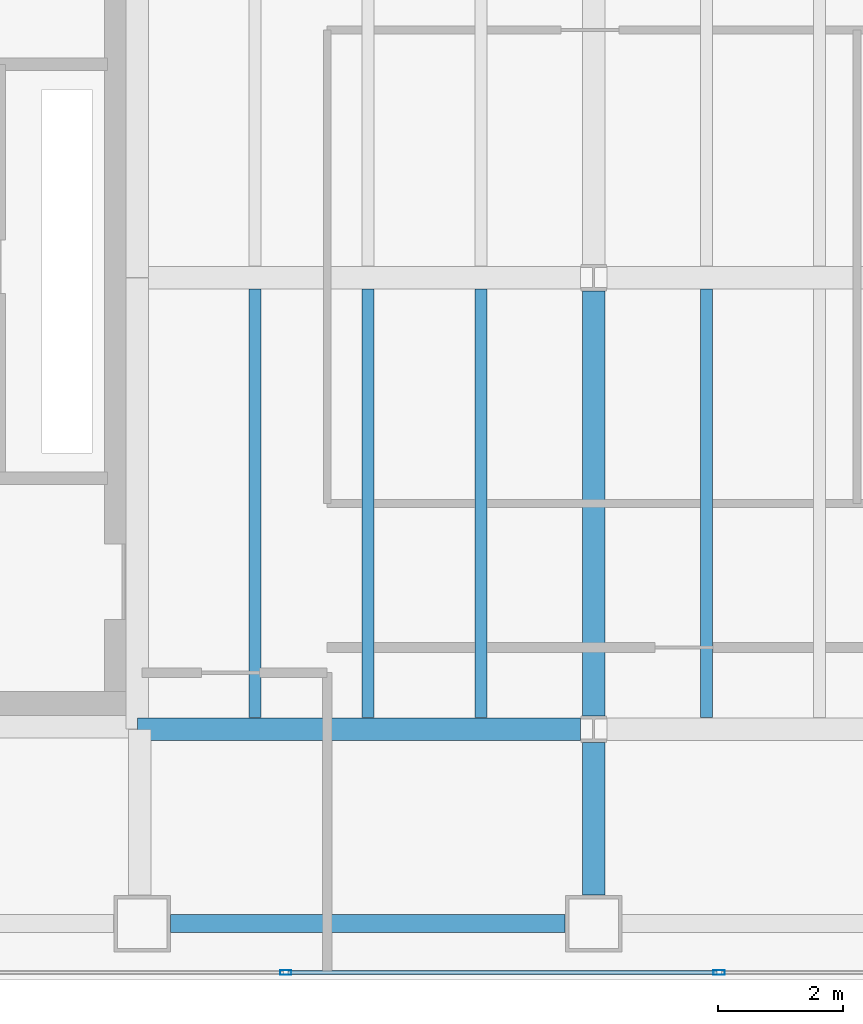
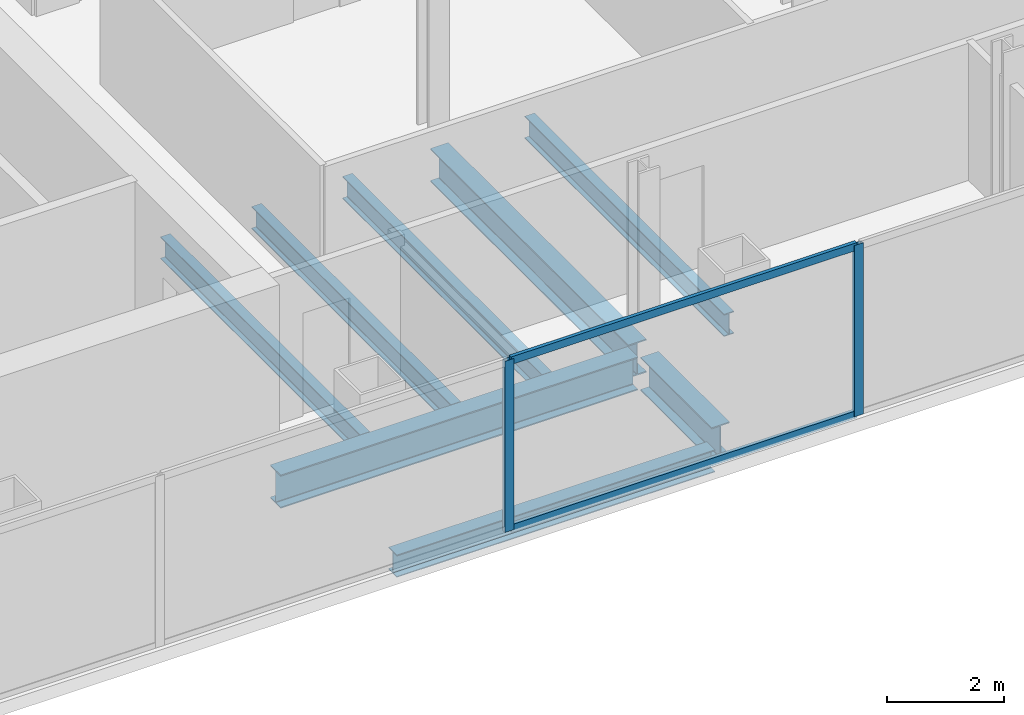
# One storey, part 4 of 23: 8 beams, 4 members, 1 element without a shape of its own.
"""IFC4 building model written with IfcOpenShell, lengths in metres."""

import ifcopenshell
import ifcopenshell.guid

model = None  # the IFC model being written
_history = None  # IfcOwnerHistory: only IFC2X3 demands one
_inside = {}  # id of a spatial element -> (the spatial element, [elements in it])
_under = {}  # id of a project, library or spatial element -> (it, [spatial elements below it])
_declared = {}  # id of a project -> (the project, [libraries it declares])
_typed = {}  # id of a type object -> (the type object, [elements of that type])
_made_of = {}  # id of a material, layer set ... -> (it, [elements and type objects made of it])


def new_model(schema):
    """Start an empty IFC model of exactly this schema.

    Asked for "IFC4X3", IfcOpenShell would pick the latest addendum, in which some entities
    have other attributes; the version numbers below select the first issue.
    IFC2X3 requires an IfcOwnerHistory on every rooted entity: one is made here for all.
    """
    global model, _history
    if schema == "IFC4X3":
        model = ifcopenshell.file(schema_version=(4, 3, 0, 0))
    else:
        model = ifcopenshell.file(schema=schema)
    _inside.clear()
    _under.clear()
    _declared.clear()
    _typed.clear()
    _made_of.clear()
    _history = None
    if model.schema == "IFC2X3":
        org = make("IfcOrganization", Name="unknown")
        user = make(
            "IfcPersonAndOrganization",
            ThePerson=make("IfcPerson", FamilyName="unknown"),
            TheOrganization=org,
        )
        app = make(
            "IfcApplication",
            ApplicationDeveloper=org,
            Version="unknown",
            ApplicationFullName="unknown",
            ApplicationIdentifier="unknown",
        )
        _history = make(
            "IfcOwnerHistory",
            OwningUser=user,
            OwningApplication=app,
            ChangeAction="ADDED",
            CreationDate=0,
        )
    return model


def make(cls, **values):
    """One entity of the class cls with the attributes given. An attribute that is None is left unset."""
    return model.create_entity(
        cls, **{name: value for name, value in values.items() if value is not None}
    )


def rooted(cls, **values):
    """An entity with a GlobalId (a new one), such as an element, a storey or a relation."""
    return make(cls, GlobalId=ifcopenshell.guid.new(), OwnerHistory=_history, **values)


def si_unit(unit_type, name, prefix=None):
    """IfcSIUnit, for example si_unit("LENGTHUNIT", "METRE", prefix="MILLI")."""
    return make("IfcSIUnit", UnitType=unit_type, Prefix=prefix, Name=name)


def assignment(units):
    """IfcUnitAssignment: the units of a project."""
    return None if units is None else make("IfcUnitAssignment", Units=units)


def point(xyz):
    """IfcCartesianPoint."""
    return None if xyz is None else make("IfcCartesianPoint", Coordinates=xyz)


def direction(xyz):
    """IfcDirection."""
    return None if xyz is None else make("IfcDirection", DirectionRatios=xyz)


def frame(location, z_axis=None, x_axis=None):
    """IfcAxis2Placement3D, a coordinate frame: its origin and axes. An axis left out is left unset."""
    return make(
        "IfcAxis2Placement3D",
        Location=point(location),
        Axis=direction(z_axis),
        RefDirection=direction(x_axis),
    )


def frame_2d(location, x_axis=None):
    """IfcAxis2Placement2D, a coordinate frame in the plane: its origin and x axis."""
    return make(
        "IfcAxis2Placement2D", Location=point(location), RefDirection=direction(x_axis)
    )


def origin():
    """The frame at (0, 0, 0) with its axes left unset."""
    return frame((0.0, 0.0, 0.0))


def origin_2d():
    """The frame at (0, 0) in the plane with its x axis left unset."""
    return frame_2d((0.0, 0.0))


def place(relative_to, where):
    """IfcLocalPlacement: puts the frame where relative to a parent placement (None: the world)."""
    return make(
        "IfcLocalPlacement", PlacementRelTo=relative_to, RelativePlacement=where
    )


def context(
    kind, dimensions, precision=None, world=None, true_north=None, identifier=None
):
    """IfcGeometricRepresentationContext, for example the 3D "Model" context."""
    return make(
        "IfcGeometricRepresentationContext",
        ContextIdentifier=identifier,
        ContextType=kind,
        CoordinateSpaceDimension=dimensions,
        Precision=precision,
        WorldCoordinateSystem=world,
        TrueNorth=true_north,
    )


def subcontext(parent, identifier, kind, view, scale=None):
    """IfcGeometricRepresentationSubContext, for example "Body" below "Model"."""
    return make(
        "IfcGeometricRepresentationSubContext",
        ContextIdentifier=identifier,
        ContextType=kind,
        ParentContext=parent,
        TargetScale=scale,
        TargetView=view,
    )


def project(units=None, contexts=None):
    """IfcProject with its units and contexts."""
    return rooted(
        "IfcProject",
        Name="project",
        RepresentationContexts=contexts,
        UnitsInContext=assignment(units),
    )


def spatial(cls, under=None, at=None, **own):
    """A site, building, storey or space (cls), placed at a placement, below another one or the project."""
    s = rooted(cls, ObjectPlacement=at, **own)
    if under is not None:
        _under.setdefault(under.id(), (under, []))[1].append(s)
    return s


def profile(cls, at=None, kind="AREA", **sizes):
    """A parametric profile (cls). Its sizes go by their IFC names, for example OverallWidth=200.0."""
    return make(cls, ProfileType=kind, Position=at, **sizes)


def hollow_rectangle(**sizes):
    """IfcRectangleHollowProfileDef."""
    return profile("IfcRectangleHollowProfileDef", **sizes)


def i_section(**sizes):
    """IfcIShapeProfileDef."""
    return profile("IfcIShapeProfileDef", **sizes)


def extrude(swept, where, along, depth):
    """IfcExtrudedAreaSolid: the profile swept, set in the frame where, extruded along a direction by depth."""
    return make(
        "IfcExtrudedAreaSolid",
        SweptArea=swept,
        Position=where,
        ExtrudedDirection=direction(along),
        Depth=depth,
    )


def shape(context_of_items, identifier, shape_type, items):
    """IfcShapeRepresentation: the items that make up one representation, for example the "Body"."""
    return make(
        "IfcShapeRepresentation",
        ContextOfItems=context_of_items,
        RepresentationIdentifier=identifier,
        RepresentationType=shape_type,
        Items=items,
    )


def material(Name=None, Category=None):
    """IfcMaterial."""
    return make("IfcMaterial", Name=Name, Category=Category)


def material_profile(
    of_material, cross_section, Name=None, Category=None, Priority=None
):
    """IfcMaterialProfile: a cross section and its material."""
    return make(
        "IfcMaterialProfile",
        Name=Name,
        Material=of_material,
        Profile=cross_section,
        Priority=Priority,
        Category=Category,
    )


def profile_set(profiles, Name=None, composite=None):
    """IfcMaterialProfileSet."""
    return make(
        "IfcMaterialProfileSet",
        Name=Name,
        MaterialProfiles=profiles,
        CompositeProfile=composite,
    )


def made_of(thing, what):
    """Note that an element or type object is made of a material, layer set ...; save() writes the relation."""
    if what is not None:
        _made_of.setdefault(what.id(), (what, []))[1].append(thing)
    return thing


def type_object(cls, material=None, **own):
    """A type object (cls), such as IfcWallType, which elements share."""
    return made_of(rooted(cls, **own), material)


def element(
    cls,
    number,
    at=None,
    inside=None,
    cuts=None,
    type_object=None,
    material=None,
    context=None,
    identifier="Body",
    shape_type=None,
    held_by="IfcProductDefinitionShape",
    body=None,
    shapes=None,
    **own,
):
    """One element of the class cls, such as IfcWall. Its Tag is "e" and its number.

    at: its placement. inside: the storey or other place that contains it. cuts: it is an
    opening in that element (IfcRelVoidsElement). A single representation is given by context,
    identifier, shape_type and body (its items); several are given by shapes. held_by: the class
    of the entity that holds the representations. save() writes the other relations.
    """
    e = rooted(cls, Tag="e%d" % number, ObjectPlacement=at, **own)
    if body is not None:
        shapes = [shape(context, identifier, shape_type, body)]
    if shapes is not None:
        e.Representation = make(held_by, Representations=shapes)
    if inside is not None:
        _inside.setdefault(inside.id(), (inside, []))[1].append(e)
    if cuts is not None:
        rooted(
            "IfcRelVoidsElement", RelatingBuildingElement=cuts, RelatedOpeningElement=e
        )
    if type_object is not None:
        _typed.setdefault(type_object.id(), (type_object, []))[1].append(e)
    return made_of(e, material)


def aggregate(whole, parts):
    """IfcRelAggregates: a whole, such as a stair, and the parts it consists of."""
    return rooted("IfcRelAggregates", RelatingObject=whole, RelatedObjects=parts)


def save(model, path):
    """Write the relations noted so far, then the file.

    IfcRelAggregates (storeys below a building ...), IfcRelContainedInSpatialStructure (elements
    in a storey), IfcRelDefinesByType, IfcRelAssociatesMaterial and IfcRelDeclares: one each for
    every whole, place, type object, material and project.
    """
    for whole, parts in _under.values():
        aggregate(whole, parts)
    for where, things in _inside.values():
        rooted(
            "IfcRelContainedInSpatialStructure",
            RelatedElements=things,
            RelatingStructure=where,
        )
    for kind, things in _typed.values():
        rooted("IfcRelDefinesByType", RelatedObjects=things, RelatingType=kind)
    for what, things in _made_of.values():
        rooted("IfcRelAssociatesMaterial", RelatedObjects=things, RelatingMaterial=what)
    for by, libraries in _declared.values():
        rooted("IfcRelDeclares", RelatingContext=by, RelatedDefinitions=libraries)
    model.write(path)


model = new_model("IFC4")

# Units and contexts
model_context = context("Model", 3, precision=1e-05, world=origin(), true_north=direction((0.0, 1.0)))
body_context = subcontext(model_context, "Body", "Model", "MODEL_VIEW")
ifc_project = project(units=[si_unit("LENGTHUNIT", "METRE"), si_unit("AREAUNIT", "SQUARE_METRE"), si_unit("VOLUMEUNIT", "CUBIC_METRE"), si_unit("PLANEANGLEUNIT", "RADIAN"), si_unit("MASSUNIT", "GRAM", prefix="KILO")], contexts=[model_context])

# Site, building, storey
site_placement = place(None, origin())
site = spatial("IfcSite", under=ifc_project, at=site_placement, CompositionType="ELEMENT")
building_placement = place(site_placement, origin())
building = spatial("IfcBuilding", under=site, at=building_placement, Name="Cobrela Telecom Tower", CompositionType="ELEMENT")
storey_placement = place(building_placement, frame((0.0, 0.0, 125.300048828125)))
storey = spatial("IfcBuildingStorey", under=building, at=storey_placement, Name="L31", CompositionType="ELEMENT", Elevation=125.300048828125)

# Beams
ifc_material_1 = material(Name="Steel ASTM A992 Grade 50", Category="steel")
ifc_material_profile_1 = material_profile(ifc_material_1, i_section(OverallWidth=0.35595703125, OverallDepth=0.696044921875, WebThickness=0.015380859375, FlangeThickness=0.024658203125, FilletRadius=0.01806640625, at=origin_2d()), Name="W27X146")
ifc_profile_set_1 = profile_set([ifc_material_profile_1], Name="Steel ASTM A992 Grade 50")
beam_type_1 = type_object("IfcBeamType", Name="BM-GIRD-05", PredefinedType="USERDEFINED", material=ifc_profile_set_1)
beam_1_placement = place(storey_placement, frame((14.324951171875, 7.199951171875, -0.6181640625), z_axis=(1.0, 0.0, 0.0), x_axis=(0.0, 1.0, 0.0)))
element("IfcBeam", 1, at=beam_1_placement, inside=storey, type_object=beam_type_1, Name="L31 Primary Girder X08", ObjectType="GIRDER", PredefinedType="USERDEFINED", context=body_context, shape_type="SweptSolid", body=[
    extrude(i_section(OverallWidth=0.35595703125, OverallDepth=0.696044921875, WebThickness=0.015380859375, FlangeThickness=0.024658203125, FilletRadius=0.01806640625, at=origin_2d()), origin(), (0.0, 0.0, 1.0), 7.0654296875),
])
beam_2_placement = place(storey_placement, frame((21.60009765625, 4.554931640625, -0.6181640625), z_axis=(0.0, 1.0, 0.0), x_axis=(-1.0, 0.0, 0.0)))
element("IfcBeam", 2, at=beam_2_placement, inside=storey, type_object=beam_type_1, Name="L31 Primary Girder Y39", ObjectType="GIRDER", PredefinedType="USERDEFINED", context=body_context, shape_type="SweptSolid", body=[
    extrude(i_section(OverallWidth=0.35595703125, OverallDepth=0.696044921875, WebThickness=0.015380859375, FlangeThickness=0.024658203125, FilletRadius=0.01806640625, at=origin_2d()), origin(), (0.0, 0.0, 1.0), 2.435546875),
])
beam_3_placement = place(storey_placement, frame((21.60009765625, 7.409423828125, -0.6181640625), z_axis=(0.0, 1.0, 0.0), x_axis=(-1.0, 0.0, 0.0)))
element("IfcBeam", 3, at=beam_3_placement, inside=storey, type_object=beam_type_1, Name="L31 Primary Girder Y40", ObjectType="GIRDER", PredefinedType="USERDEFINED", context=body_context, shape_type="SweptSolid", body=[
    extrude(i_section(OverallWidth=0.35595703125, OverallDepth=0.696044921875, WebThickness=0.015380859375, FlangeThickness=0.024658203125, FilletRadius=0.01806640625, at=origin_2d()), origin(), (0.0, 0.0, 1.0), 6.781005859375),
])
ifc_material_profile_2 = material_profile(ifc_material_1, i_section(OverallWidth=0.193115234375, OverallDepth=0.467041015625, WebThickness=0.011474609375, FlangeThickness=0.01904296875, FilletRadius=0.012939453125, at=origin_2d()), Name="W18X65")
ifc_profile_set_2 = profile_set([ifc_material_profile_2], Name="Steel ASTM A992 Grade 50")
beam_type_2 = type_object("IfcBeamType", Name="BM-JOIST-03", PredefinedType="JOIST", material=ifc_profile_set_2)
for number, where, z_axis, x_axis, name in (
    (4, (16.199951171875, 7.383056640625, -0.503662109375), (0.0, 1.0, 0.0), (-1.0, 0.0, 0.0), "L31 Secondary Composite Floor Beam J04"),
    (5, (18.0, 7.383056640625, -0.503662109375), (0.0, 1.0, 0.0), (-1.0, 0.0, 0.0), "L31 Secondary Composite Floor Beam J09"),
    (6, (19.800048828125, 7.383056640625, -0.503662109375), (0.0, 1.0, 0.0), (-1.0, 0.0, 0.0), "L31 Secondary Composite Floor Beam J14"),
    (7, (23.39990234375, 7.383056640625, -0.503662109375), (0.0, 1.0, 0.0), (-1.0, 0.0, 0.0), "L31 Secondary Composite Floor Beam J19"),
):
    element("IfcBeam", number, at=place(storey_placement, frame(where, z_axis=z_axis, x_axis=x_axis)), inside=storey, type_object=beam_type_2, Name=name, PredefinedType="JOIST", context=body_context, shape_type="SweptSolid", body=[
        extrude(i_section(OverallWidth=0.193115234375, OverallDepth=0.467041015625, WebThickness=0.011474609375, FlangeThickness=0.01904296875, FilletRadius=0.012939453125, at=origin_2d()), origin(), (0.0, 0.0, 1.0), 6.833984375),
    ])
ifc_material_profile_3 = material_profile(ifc_material_1, i_section(OverallWidth=0.281982421875, OverallDepth=0.467041015625, WebThickness=0.01220703125, FlangeThickness=0.01953125, FilletRadius=0.012939453125, at=origin_2d()), Name="W18X86")
ifc_profile_set_3 = profile_set([ifc_material_profile_3], Name="Steel ASTM A992 Grade 50")
beam_type_3 = type_object("IfcBeamType", Name="BM-SPAND-04", PredefinedType="SPANDREL", material=ifc_profile_set_3)
beam_4_placement = place(storey_placement, frame((14.85498046875, 4.10009765625, -0.503662109375), z_axis=(1.0, 0.0, 0.0), x_axis=(0.0, 1.0, 0.0)))
element("IfcBeam", 8, at=beam_4_placement, inside=storey, type_object=beam_type_3, Name="L31 Perimeter Spandrel X02", PredefinedType="SPANDREL", context=body_context, shape_type="SweptSolid", body=[
    extrude(i_section(OverallWidth=0.281982421875, OverallDepth=0.467041015625, WebThickness=0.01220703125, FlangeThickness=0.01953125, FilletRadius=0.012939453125, at=origin_2d()), origin(), (0.0, 0.0, 1.0), 6.2900390625),
])

# Curtain wall, members
ifc_material_2 = material(Name="Anodized Bronze Aluminium 6063-T6", Category="aluminium")
curtain_wall_type = type_object("IfcCurtainWallType", Name="CW-SYS-TEL", PredefinedType="USERDEFINED", material=ifc_material_2)
curtain_wall_placement = place(storey_placement, origin())
curtain_wall = element("IfcCurtainWall", 9, at=curtain_wall_placement, inside=storey, type_object=curtain_wall_type, Name="L31 Unitised Bronze Curtain Wall 17", ObjectType="UNITISED CURTAIN WALL", PredefinedType="USERDEFINED")
ifc_material_profile_4 = material_profile(ifc_material_2, hollow_rectangle(XDim=0.074951171875, YDim=0.179931640625, WallThickness=0.00390625, at=origin_2d()), Name="ALU 75x180x4")
ifc_profile_set_4 = profile_set([ifc_material_profile_4], Name="Anodized Bronze Aluminium 6063-T6")
member_type_1 = type_object("IfcMemberType", Name="CW-SYS-TEL-MUL", PredefinedType="MULLION", material=ifc_profile_set_4)
member_1_placement = place(storey_placement, frame((23.60009765625, 3.320068359375, 0.0), z_axis=(0.0, 0.0, 1.0), x_axis=(0.0, -1.0, 0.0)))
member_1 = element("IfcMember", 10, at=member_1_placement, type_object=member_type_1, Name="CW-TEL mullion 4", PredefinedType="MULLION", context=body_context, shape_type="SweptSolid", body=[
    extrude(hollow_rectangle(XDim=0.074951171875, YDim=0.179931640625, WallThickness=0.00390625, at=origin_2d()), origin(), (0.0, 0.0, 1.0), 3.579833984375),
])
member_2_placement = place(storey_placement, frame((16.68994140625, 3.320068359375, 0.0), z_axis=(0.0, 0.0, 1.0), x_axis=(0.0, -1.0, 0.0)))
member_2 = element("IfcMember", 11, at=member_2_placement, type_object=member_type_1, Name="CW-TEL mullion 5", PredefinedType="MULLION", context=body_context, shape_type="SweptSolid", body=[
    extrude(hollow_rectangle(XDim=0.074951171875, YDim=0.179931640625, WallThickness=0.00390625, at=origin_2d()), origin(), (0.0, 0.0, 1.0), 3.579833984375),
])
ifc_material_profile_5 = material_profile(ifc_material_2, hollow_rectangle(XDim=0.070068359375, YDim=0.159912109375, WallThickness=0.00390625, at=origin_2d()), Name="ALU 70x160x4")
ifc_profile_set_5 = profile_set([ifc_material_profile_5], Name="Anodized Bronze Aluminium 6063-T6")
member_type_2 = type_object("IfcMemberType", Name="CW-SYS-TEL-TRN", PredefinedType="USERDEFINED", material=ifc_profile_set_5)
member_3_placement = place(storey_placement, frame((23.5625, 3.320068359375, 0.034912109375), z_axis=(-1.0, 0.0, 0.0), x_axis=(0.0, -1.0, 0.0)))
member_3 = element("IfcMember", 12, at=member_3_placement, type_object=member_type_2, Name="CW-TEL transom 4.1", ObjectType="TRANSOM", PredefinedType="USERDEFINED", context=body_context, shape_type="SweptSolid", body=[
    extrude(hollow_rectangle(XDim=0.070068359375, YDim=0.159912109375, WallThickness=0.00390625, at=origin_2d()), origin(), (0.0, 0.0, 1.0), 6.8349609375),
])
member_4_placement = place(storey_placement, frame((23.5625, 3.320068359375, 3.544921875), z_axis=(-1.0, 0.0, 0.0), x_axis=(0.0, -1.0, 0.0)))
member_4 = element("IfcMember", 13, at=member_4_placement, type_object=member_type_2, Name="CW-TEL transom 4.2", ObjectType="TRANSOM", PredefinedType="USERDEFINED", context=body_context, shape_type="SweptSolid", body=[
    extrude(hollow_rectangle(XDim=0.070068359375, YDim=0.159912109375, WallThickness=0.00390625, at=origin_2d()), origin(), (0.0, 0.0, 1.0), 6.8349609375),
])
aggregate(curtain_wall, [member_1, member_2, member_3, member_4])

save(model, "model.ifc")
